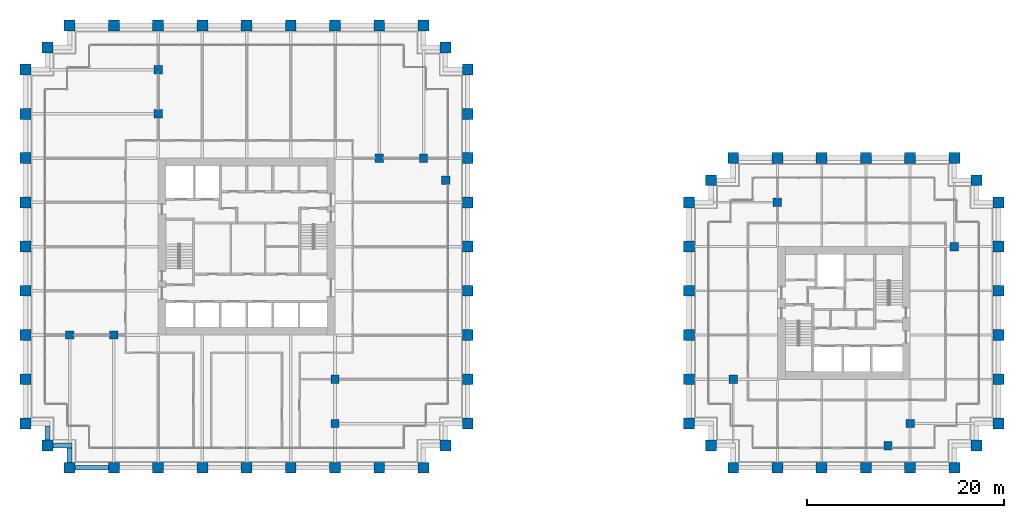
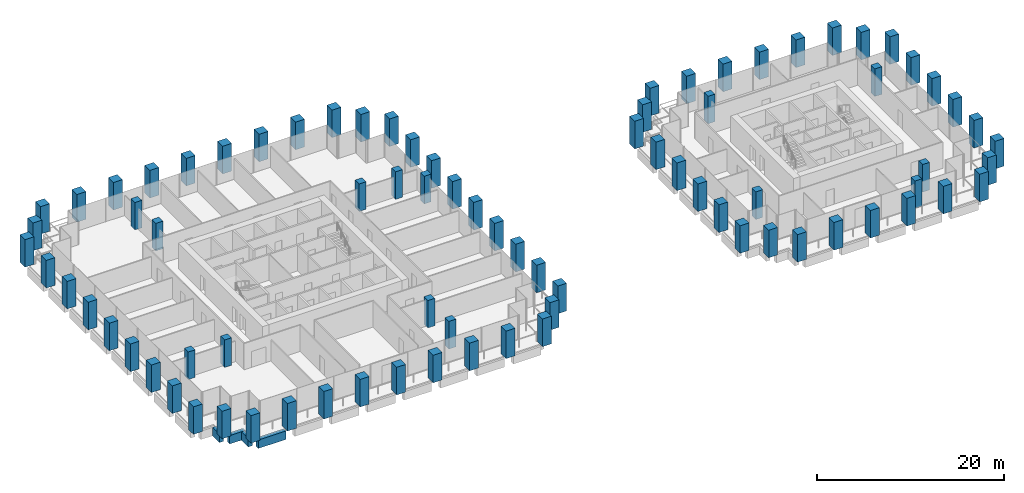
# One storey, part 1 of 56: 82 columns, 4 beams.
"""IFC4 building model written with IfcOpenShell, lengths in metres."""

from ifc_helpers import new_model, si_unit, direction, frame, origin, origin_2d, place, context, subcontext, project, spatial, rectangle, extrude, material, material_profile, profile_set, type_object, element, save


model = new_model("IFC4")

# Units and contexts
model_context = context("Model", 3, precision=1e-05, world=origin(), true_north=direction((0.0, 1.0)))
body_context = subcontext(model_context, "Body", "Model", "MODEL_VIEW")
ifc_project = project(units=[si_unit("LENGTHUNIT", "METRE"), si_unit("AREAUNIT", "SQUARE_METRE"), si_unit("VOLUMEUNIT", "CUBIC_METRE"), si_unit("PLANEANGLEUNIT", "RADIAN"), si_unit("MASSUNIT", "GRAM", prefix="KILO")], contexts=[model_context])

# Site, building, storey
site_placement = place(None, origin())
site = spatial("IfcSite", under=ifc_project, at=site_placement, CompositionType="ELEMENT")
building_placement = place(site_placement, origin())
building = spatial("IfcBuilding", under=site, at=building_placement, Name="Altepetl Exchange Towers", CompositionType="ELEMENT")
storey_placement = place(building_placement, frame((0.0, 0.0, 76.199951171875)))
storey = spatial("IfcBuildingStorey", under=building, at=storey_placement, Name="L18", CompositionType="ELEMENT", Elevation=76.199951171875)

# Columns
ifc_material_1 = material(Name="Concrete C70/85", Category="concrete")
ifc_material_profile_1 = material_profile(ifc_material_1, rectangle(XDim=0.85009765625, YDim=0.85009765625, at=origin_2d()), Name="850 x 850")
ifc_profile_set_1 = profile_set([ifc_material_profile_1], Name="Concrete C70/85")
column_type_1 = type_object("IfcColumnType", Name="Interior column 850", PredefinedType="COLUMN", material=ifc_profile_set_1)
for number, where, name in (
    (1, (31.5, 40.5, 0.0), "col:A:L18:040"),
    (2, (36.0, 40.5, 0.0), "col:A:L18:041"),
    (3, (40.5, 63.0, 0.0), "col:A:L18:042"),
    (4, (40.5, 67.5, 0.0), "col:A:L18:043"),
    (5, (58.5, 31.5, 0.0), "col:A:L18:044"),
    (6, (58.5, 36.0, 0.0), "col:A:L18:045"),
    (7, (63.0, 58.5, 0.0), "col:A:L18:046"),
    (8, (67.5, 58.5, 0.0), "col:A:L18:047"),
    (9, (69.75, 56.25, 0.0), "col:A:L18:048"),
    (10, (99.0, 36.0, 0.0), "col:B:L18:028"),
    (11, (103.5, 54.0, 0.0), "col:B:L18:029"),
    (12, (114.75, 29.25, 0.0), "col:B:L18:030"),
    (13, (117.0, 31.5, 0.0), "col:B:L18:031"),
    (14, (121.5, 49.5, 0.0), "col:B:L18:032"),
):
    element("IfcColumn", number, at=place(storey_placement, frame(where)), inside=storey, type_object=column_type_1, Name=name, PredefinedType="COLUMN", context=body_context, shape_type="SweptSolid", body=[
        extrude(rectangle(XDim=0.85009765625, YDim=0.85009765625, at=origin_2d()), origin(), (0.0, 0.0, 1.0), 3.60009765625),
    ])
ifc_material_2 = material(Name="Concrete C70/85 precast with cantera amarilla facing", Category="concrete")
ifc_material_profile_2 = material_profile(ifc_material_2, rectangle(XDim=1.10009765625, YDim=1.10009765625, at=origin_2d()), Name="1100 x 1100")
ifc_profile_set_2 = profile_set([ifc_material_profile_2], Name="Concrete C70/85 precast with cantera amarilla facing")
column_type_2 = type_object("IfcColumnType", Name="Perimeter column 1100 cantera amarilla", PredefinedType="COLUMN", material=ifc_profile_set_2)
for number, where, name in (
    (15, (58.5, 27.0, 0.0), "col:A:L18:006"),
    (16, (63.0, 27.0, 0.0), "col:A:L18:007"),
    (17, (67.5, 27.0, 0.0), "col:A:L18:008"),
    (18, (69.75, 29.25, 0.0), "col:A:L18:009"),
    (19, (72.0, 31.5, 0.0), "col:A:L18:010"),
    (20, (72.0, 36.0, 0.0), "col:A:L18:011"),
    (21, (72.0, 40.5, 0.0), "col:A:L18:012"),
    (22, (72.0, 45.0, 0.0), "col:A:L18:013"),
    (23, (72.0, 49.5, 0.0), "col:A:L18:014"),
    (24, (72.0, 54.0, 0.0), "col:A:L18:015"),
    (25, (126.0, 49.5, 0.0), "col:B:L18:011"),
    (26, (126.0, 54.0, 0.0), "col:B:L18:012"),
    (27, (123.75, 56.25, 0.0), "col:B:L18:013"),
    (28, (121.5, 58.5, 0.0), "col:B:L18:014"),
    (29, (117.0, 58.5, 0.0), "col:B:L18:015"),
    (30, (112.5, 58.5, 0.0), "col:B:L18:016"),
    (31, (108.0, 58.5, 0.0), "col:B:L18:017"),
):
    element("IfcColumn", number, at=place(storey_placement, frame(where)), inside=storey, type_object=column_type_2, Name=name, PredefinedType="COLUMN", context=body_context, shape_type="SweptSolid", body=[
        extrude(rectangle(XDim=1.10009765625, YDim=1.10009765625, at=origin_2d()), origin(), (0.0, 0.0, 1.0), 3.60009765625),
    ])
ifc_material_3 = material(Name="Concrete C70/85 precast with cantera blanca facing", Category="concrete")
ifc_material_profile_3 = material_profile(ifc_material_3, rectangle(XDim=1.10009765625, YDim=1.10009765625, at=origin_2d()), Name="1100 x 1100")
ifc_profile_set_3 = profile_set([ifc_material_profile_3], Name="Concrete C70/85 precast with cantera blanca facing")
column_type_3 = type_object("IfcColumnType", Name="Perimeter column 1100 cantera blanca", PredefinedType="COLUMN", material=ifc_profile_set_3)
for number, where, name in (
    (32, (31.5, 27.0, 0.0), "col:A:L18:000"),
    (33, (36.0, 27.0, 0.0), "col:A:L18:001"),
    (34, (40.5, 27.0, 0.0), "col:A:L18:002"),
    (35, (45.0, 27.0, 0.0), "col:A:L18:003"),
    (36, (49.5, 27.0, 0.0), "col:A:L18:004"),
    (37, (54.0, 27.0, 0.0), "col:A:L18:005"),
    (38, (27.0, 36.0, 0.0), "col:A:L18:037"),
    (39, (27.0, 31.5, 0.0), "col:A:L18:038"),
    (40, (29.25, 29.25, 0.0), "col:A:L18:039"),
    (41, (117.0, 27.0, 0.0), "col:B:L18:004"),
    (42, (121.5, 27.0, 0.0), "col:B:L18:005"),
    (43, (123.75, 29.25, 0.0), "col:B:L18:006"),
    (44, (126.0, 31.5, 0.0), "col:B:L18:007"),
    (45, (126.0, 36.0, 0.0), "col:B:L18:008"),
    (46, (126.0, 40.5, 0.0), "col:B:L18:009"),
    (47, (126.0, 45.0, 0.0), "col:B:L18:010"),
):
    element("IfcColumn", number, at=place(storey_placement, frame(where)), inside=storey, type_object=column_type_3, Name=name, PredefinedType="COLUMN", context=body_context, shape_type="SweptSolid", body=[
        extrude(rectangle(XDim=1.10009765625, YDim=1.10009765625, at=origin_2d()), origin(), (0.0, 0.0, 1.0), 3.60009765625),
    ])
ifc_material_4 = material(Name="Concrete C70/85 precast with cantera rosa facing", Category="concrete")
ifc_material_profile_4 = material_profile(ifc_material_4, rectangle(XDim=1.10009765625, YDim=1.10009765625, at=origin_2d()), Name="1100 x 1100")
ifc_profile_set_4 = profile_set([ifc_material_profile_4], Name="Concrete C70/85 precast with cantera rosa facing")
column_type_4 = type_object("IfcColumnType", Name="Perimeter column 1100 cantera rosa", PredefinedType="COLUMN", material=ifc_profile_set_4)
for number, where, name in (
    (48, (72.0, 58.5, 0.0), "col:A:L18:016"),
    (49, (72.0, 63.0, 0.0), "col:A:L18:017"),
    (50, (72.0, 67.5, 0.0), "col:A:L18:018"),
    (51, (69.75, 69.75, 0.0), "col:A:L18:019"),
    (52, (67.5, 72.0, 0.0), "col:A:L18:020"),
    (53, (63.0, 72.0, 0.0), "col:A:L18:021"),
    (54, (58.5, 72.0, 0.0), "col:A:L18:022"),
    (55, (54.0, 72.0, 0.0), "col:A:L18:023"),
    (56, (49.5, 72.0, 0.0), "col:A:L18:024"),
    (57, (45.0, 72.0, 0.0), "col:A:L18:025"),
    (58, (103.5, 58.5, 0.0), "col:B:L18:018"),
    (59, (99.0, 58.5, 0.0), "col:B:L18:019"),
    (60, (96.75, 56.25, 0.0), "col:B:L18:020"),
    (61, (94.5, 54.0, 0.0), "col:B:L18:021"),
    (62, (94.5, 49.5, 0.0), "col:B:L18:022"),
    (63, (94.5, 45.0, 0.0), "col:B:L18:023"),
    (64, (94.5, 40.5, 0.0), "col:B:L18:024"),
    (65, (94.5, 36.0, 0.0), "col:B:L18:025"),
):
    element("IfcColumn", number, at=place(storey_placement, frame(where)), inside=storey, type_object=column_type_4, Name=name, PredefinedType="COLUMN", context=body_context, shape_type="SweptSolid", body=[
        extrude(rectangle(XDim=1.10009765625, YDim=1.10009765625, at=origin_2d()), origin(), (0.0, 0.0, 1.0), 3.60009765625),
    ])
ifc_material_5 = material(Name="Concrete C70/85 precast with tezontle facing", Category="concrete")
ifc_material_profile_5 = material_profile(ifc_material_5, rectangle(XDim=1.10009765625, YDim=1.10009765625, at=origin_2d()), Name="1100 x 1100")
ifc_profile_set_5 = profile_set([ifc_material_profile_5], Name="Concrete C70/85 precast with tezontle facing")
column_type_5 = type_object("IfcColumnType", Name="Perimeter column 1100 tezontle", PredefinedType="COLUMN", material=ifc_profile_set_5)
for number, where, name in (
    (66, (40.5, 72.0, 0.0), "col:A:L18:026"),
    (67, (36.0, 72.0, 0.0), "col:A:L18:027"),
    (68, (31.5, 72.0, 0.0), "col:A:L18:028"),
    (69, (29.25, 69.75, 0.0), "col:A:L18:029"),
    (70, (27.0, 67.5, 0.0), "col:A:L18:030"),
    (71, (27.0, 63.0, 0.0), "col:A:L18:031"),
    (72, (27.0, 58.5, 0.0), "col:A:L18:032"),
    (73, (27.0, 54.0, 0.0), "col:A:L18:033"),
    (74, (27.0, 49.5, 0.0), "col:A:L18:034"),
    (75, (27.0, 45.0, 0.0), "col:A:L18:035"),
    (76, (27.0, 40.5, 0.0), "col:A:L18:036"),
    (77, (99.0, 27.0, 0.0), "col:B:L18:000"),
    (78, (103.5, 27.0, 0.0), "col:B:L18:001"),
    (79, (108.0, 27.0, 0.0), "col:B:L18:002"),
    (80, (112.5, 27.0, 0.0), "col:B:L18:003"),
    (81, (94.5, 31.5, 0.0), "col:B:L18:026"),
    (82, (96.75, 29.25, 0.0), "col:B:L18:027"),
):
    element("IfcColumn", number, at=place(storey_placement, frame(where)), inside=storey, type_object=column_type_5, Name=name, PredefinedType="COLUMN", context=body_context, shape_type="SweptSolid", body=[
        extrude(rectangle(XDim=1.10009765625, YDim=1.10009765625, at=origin_2d()), origin(), (0.0, 0.0, 1.0), 3.60009765625),
    ])

# Beams
ifc_material_6 = material(Name="Concrete C50/60 precast with cantera blanca facing", Category="concrete")
ifc_material_profile_6 = material_profile(ifc_material_6, rectangle(XDim=0.5, YDim=1.10009765625, at=origin_2d()), Name="500 x 1100")
ifc_profile_set_6 = profile_set([ifc_material_profile_6], Name="Concrete C50/60 precast with cantera blanca facing")
beam_type = type_object("IfcBeamType", Name="Spandrel beam 500x1100 cantera blanca", PredefinedType="SPANDREL", material=ifc_profile_set_6)
beam_1_placement = place(storey_placement, frame((32.050048828125, 27.0, -0.699951171875), z_axis=(1.0, 0.0, 0.0), x_axis=(0.0, 1.0, 0.0)))
element("IfcBeam", 83, at=beam_1_placement, inside=storey, type_object=beam_type, Name="sp:A:L18:000", PredefinedType="SPANDREL", context=body_context, shape_type="SweptSolid", body=[
    extrude(rectangle(XDim=0.5, YDim=1.10009765625, at=origin_2d()), origin(), (0.0, 0.0, 1.0), 3.39990234375),
])
beam_2_placement = place(storey_placement, frame((29.25, 31.25, -0.699951171875), z_axis=(0.0, -1.0, 0.0), x_axis=(1.0, 0.0, 0.0)))
element("IfcBeam", 84, at=beam_2_placement, inside=storey, type_object=beam_type, Name="sp:A:L18:045", PredefinedType="SPANDREL", context=body_context, shape_type="SweptSolid", body=[
    extrude(rectangle(XDim=0.5, YDim=1.10009765625, at=origin_2d()), origin(), (0.0, 0.0, 1.0), 1.449951171875),
])
beam_3_placement = place(storey_placement, frame((29.800048828125, 29.25, -0.699951171875), z_axis=(1.0, 0.0, 0.0), x_axis=(0.0, 1.0, 0.0)))
element("IfcBeam", 85, at=beam_3_placement, inside=storey, type_object=beam_type, Name="sp:A:L18:046", PredefinedType="SPANDREL", context=body_context, shape_type="SweptSolid", body=[
    extrude(rectangle(XDim=0.5, YDim=1.10009765625, at=origin_2d()), origin(), (0.0, 0.0, 1.0), 1.949951171875),
])
beam_4_placement = place(storey_placement, frame((31.5, 29.0, -0.699951171875), z_axis=(0.0, -1.0, 0.0), x_axis=(1.0, 0.0, 0.0)))
element("IfcBeam", 86, at=beam_4_placement, inside=storey, type_object=beam_type, Name="sp:A:L18:047", PredefinedType="SPANDREL", context=body_context, shape_type="SweptSolid", body=[
    extrude(rectangle(XDim=0.5, YDim=1.10009765625, at=origin_2d()), origin(), (0.0, 0.0, 1.0), 1.449951171875),
])

save(model, "model.ifc")
